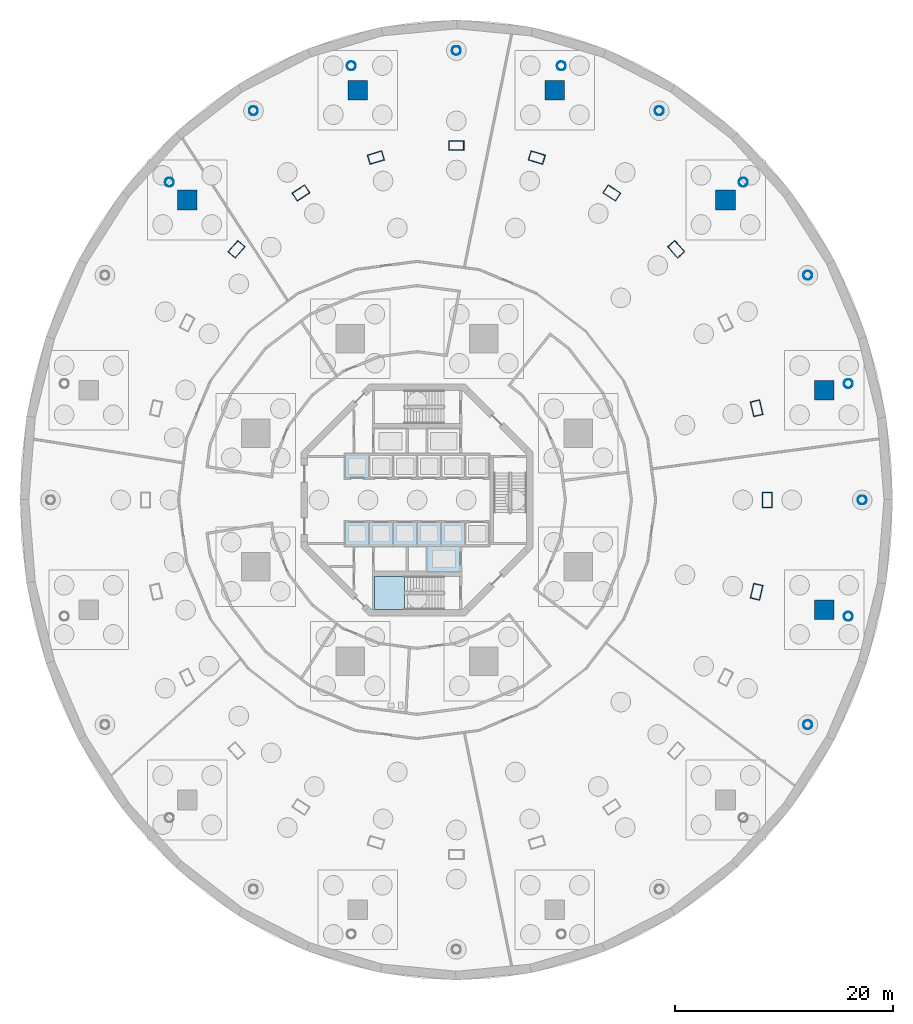
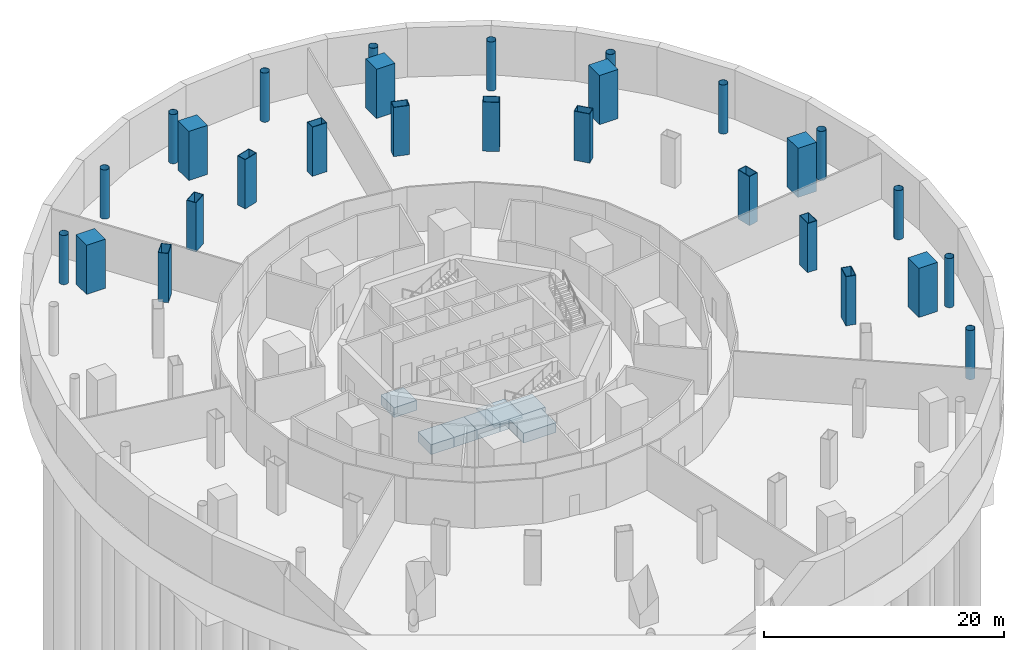
# One storey, part 3 of 14: 28 columns, 8 slabs, 1 element without a shape of its own.
"""IFC4 building model written with IfcOpenShell, lengths in metres."""

from ifc_helpers import new_model, si_unit, direction, frame, origin, origin_2d, place, context, subcontext, project, spatial, polyline, rectangle, hollow_rectangle, hollow_circle, outline, extrude, material, layer, layer_set, material_profile, profile_set, type_object, element, aggregate, save


model = new_model("IFC4")

# Units and contexts
model_context = context("Model", 3, precision=1e-05, world=origin(), true_north=direction((0.0, 1.0)))
body_context = subcontext(model_context, "Body", "Model", "MODEL_VIEW")
ifc_project = project(units=[si_unit("LENGTHUNIT", "METRE"), si_unit("AREAUNIT", "SQUARE_METRE"), si_unit("VOLUMEUNIT", "CUBIC_METRE"), si_unit("PLANEANGLEUNIT", "RADIAN"), si_unit("MASSUNIT", "GRAM", prefix="KILO")], contexts=[model_context])

# Site, building, storey
site_placement = place(None, origin())
site = spatial("IfcSite", under=ifc_project, at=site_placement, CompositionType="ELEMENT")
building_placement = place(site_placement, origin())
building = spatial("IfcBuilding", under=site, at=building_placement, Name="Nagisa Residences", CompositionType="ELEMENT")
storey_placement = place(building_placement, frame((0.0, 0.0, -10.0)))
storey = spatial("IfcBuildingStorey", under=building, at=storey_placement, Name="B2", CompositionType="ELEMENT", Elevation=-10.0)

# Columns
ifc_material_1 = material(Name="Steel ASTM A572 Gr 65", Category="steel")
ifc_material_profile_1 = material_profile(ifc_material_1, hollow_circle(Radius=0.406494140625, WallThickness=0.02490234375, at=origin_2d()), Name="CHS 813x25")
ifc_profile_set_1 = profile_set([ifc_material_profile_1], Name="Steel ASTM A572 Gr 65")
column_type_1 = type_object("IfcColumnType", Name="Atrium column CHS 813x25", PredefinedType="COLUMN", material=ifc_profile_set_1)
for number, where, z_axis, x_axis, name in (
    (1, (40.800048828125, 0.0, 0.0), (0.0, 0.0, 1.0), (1.0, 0.0, 0.0), "col:B2:a00"),
    (2, (39.532470703125, 10.663330078125, 0.0), (0.0, 0.0, 1.0), (1.0, 0.0, 0.0), "col:B2:a01"),
    (3, (35.816162109375, 20.60009765625, 0.0), (0.0, 0.0, 1.0), (1.0, 0.0, 0.0), "col:B2:a02"),
    (4, (29.904296875, 29.1328125, 0.0), (0.0, 0.0, 1.0), (1.0, 0.0, 0.0), "col:B2:a03"),
    (5, (22.199951171875, 35.68017578125, 0.0), (0.0, 0.0, 1.0), (1.0, 0.0, 0.0), "col:B2:a04"),
    (6, (13.22802734375, 39.796142578125, 0.0), (0.0, 0.0, 1.0), (1.0, 0.0, 0.0), "col:B2:a05"),
    (7, (3.60009765625, 41.199951171875, 0.0), (0.0, 0.0, 1.0), (1.0, 0.0, 0.0), "col:B2:a06"),
    (8, (-6.028076171875, 39.796142578125, 0.0), (0.0, 0.0, 1.0), (1.0, 0.0, 0.0), "col:B2:a07"),
    (9, (-15.0, 35.68017578125, 0.0), (0.0, 0.0, 1.0), (1.0, 0.0, 0.0), "col:B2:a08"),
    (10, (-22.704345703125, 29.1328125, 0.0), (0.0, 0.0, 1.0), (1.0, 0.0, 0.0), "col:B2:a09"),
    (11, (35.816162109375, -20.60009765625, 0.0), (0.0, 0.0, 1.0), (1.0, 0.0, 0.0), "col:B2:a22"),
    (12, (39.532470703125, -10.663330078125, 0.0), (0.0, 0.0, 1.0), (1.0, 0.0, 0.0), "col:B2:a23"),
):
    element("IfcColumn", number, at=place(storey_placement, frame(where, z_axis=z_axis, x_axis=x_axis)), inside=storey, type_object=column_type_1, Name=name, PredefinedType="COLUMN", context=body_context, shape_type="SweptSolid", body=[
        extrude(hollow_circle(Radius=0.406494140625, WallThickness=0.02490234375, at=origin_2d()), origin(), (0.0, 0.0, 1.0), 5.0),
    ])
ifc_material_2 = material(Name="Concrete C80", Category="concrete")
ifc_material_profile_2 = material_profile(ifc_material_2, rectangle(XDim=1.800048828125, YDim=1.800048828125, at=origin_2d()), Name="C80 1800x1800")
ifc_profile_set_2 = profile_set([ifc_material_profile_2], Name="Concrete C80")
column_type_2 = type_object("IfcColumnType", Name="Cage foot column C80 1800x1800", PredefinedType="COLUMN", material=ifc_profile_set_2)
for number, where, z_axis, x_axis, name in (
    (13, (37.310791015625, 10.068115234375, 0.0), (0.0, 0.0, 1.0), (1.0, 0.0, 0.0), "col:B2:f01"),
    (14, (28.278076171875, 27.50634765625, 0.0), (0.0, 0.0, 1.0), (1.0, 0.0, 0.0), "col:B2:f02"),
    (15, (12.6328125, 37.574462890625, 0.0), (0.0, 0.0, 1.0), (1.0, 0.0, 0.0), "col:B2:f03"),
    (16, (-5.432861328125, 37.574462890625, 0.0), (0.0, 0.0, 1.0), (1.0, 0.0, 0.0), "col:B2:f04"),
    (17, (-21.078125, 27.50634765625, 0.0), (0.0, 0.0, 1.0), (1.0, 0.0, 0.0), "col:B2:f05"),
    (18, (37.310791015625, -10.068115234375, 0.0), (0.0, 0.0, 1.0), (1.0, 0.0, 0.0), "col:B2:f12"),
):
    element("IfcColumn", number, at=place(storey_placement, frame(where, z_axis=z_axis, x_axis=x_axis)), inside=storey, type_object=column_type_2, Name=name, PredefinedType="COLUMN", context=body_context, shape_type="SweptSolid", body=[
        extrude(rectangle(XDim=1.800048828125, YDim=1.800048828125, at=origin_2d()), origin(), (0.0, 0.0, 1.0), 5.0),
    ])
ifc_material_3 = material(Name="Steel ASTM A572 Gr 50", Category="steel")
ifc_material_profile_3 = material_profile(ifc_material_3, hollow_rectangle(XDim=1.39990234375, YDim=0.89990234375, WallThickness=0.050048828125, at=origin_2d()), Name="BX 1400x900x50")
ifc_profile_set_3 = profile_set([ifc_material_profile_3], Name="Steel ASTM A572 Gr 50")
column_type_3 = type_object("IfcColumnType", Name="Perimeter column BX 1400x900x50", PredefinedType="COLUMN", material=ifc_profile_set_3)
for number, where, z_axis, x_axis, name in (
    (19, (32.10009765625, 0.0, 0.0), (0.0, 0.0, 1.0), (0.0, 1.0, 0.0), "col:B2:p00"),
    (20, (31.12890625, 8.41162109375, 0.0), (0.0, 0.0, 1.0), (-0.229202013103, 0.973378876486, 0.0), "col:B2:p01"),
    (21, (23.75244140625, 22.98095703125, 0.0), (0.0, 0.0, 1.0), (-0.660114607735, 0.751164898445, 0.0), "col:B2:p03"),
    (22, (17.85009765625, 28.145751953125, 0.0), (0.0, 0.0, 1.0), (-0.835766105673, 0.54908561865, 0.0), "col:B2:p04"),
    (23, (10.976318359375, 31.392578125, 0.0), (0.0, 0.0, 1.0), (-0.956524583408, 0.291651712384, 0.0), "col:B2:p05"),
    (24, (3.60009765625, 32.5, 0.0), (0.0, 0.0, 1.0), (-1.0, 0.0, 0.0), "col:B2:p06"),
    (25, (-3.7763671875, 31.392578125, 0.0), (0.0, 0.0, 1.0), (-0.956524583408, -0.291651712384, 0.0), "col:B2:p07"),
    (26, (-10.64990234375, 28.145751953125, 0.0), (0.0, 0.0, 1.0), (-0.835766105673, -0.54908561865, 0.0), "col:B2:p08"),
    (27, (-16.552490234375, 22.98095703125, 0.0), (0.0, 0.0, 1.0), (-0.660114607735, -0.751164898445, 0.0), "col:B2:p09"),
    (28, (31.12890625, -8.41162109375, 0.0), (0.0, 0.0, 1.0), (0.229202013103, 0.973378876486, 0.0), "col:B2:p23"),
):
    element("IfcColumn", number, at=place(storey_placement, frame(where, z_axis=z_axis, x_axis=x_axis)), inside=storey, type_object=column_type_3, Name=name, PredefinedType="COLUMN", context=body_context, shape_type="SweptSolid", body=[
        extrude(hollow_rectangle(XDim=1.39990234375, YDim=0.89990234375, WallThickness=0.050048828125, at=origin_2d()), origin(), (0.0, 0.0, 1.0), 5.0),
    ])

# Slabs
ifc_material_4 = material(Name="Concrete C60", Category="concrete")
ifc_layer_1 = layer(ifc_material_4, 1.0)
ifc_layer_set_1 = layer_set([ifc_layer_1], Name="Lift pit slab")
slab_type_1 = type_object("IfcSlabType", Name="Lift pit slab", PredefinedType="BASESLAB", material=ifc_layer_set_1)
slab_1_placement = place(storey_placement, frame((0.0, 0.0, -3.0)))
element("IfcSlab", 29, at=slab_1_placement, inside=storey, type_object=slab_type_1, Name="pit:A1:slab", PredefinedType="BASESLAB", context=body_context, shape_type="SweptSolid", body=[
    extrude(outline(polyline([(-4.39990234375, 2.0), (-6.60009765625, 2.0), (-6.60009765625, 4.199951171875), (-4.39990234375, 4.199951171875), (-4.39990234375, 2.0)])), origin(), (0.0, 0.0, 1.0), 1.0),
])
slab_2_placement = place(storey_placement, frame((0.0, 0.0, -3.0)))
element("IfcSlab", 30, at=slab_2_placement, inside=storey, type_object=slab_type_1, Name="pit:A4:slab", PredefinedType="BASESLAB", context=body_context, shape_type="SweptSolid", body=[
    extrude(outline(polyline([(-4.39990234375, -4.199951171875), (-6.60009765625, -4.199951171875), (-6.60009765625, -2.0), (-4.39990234375, -2.0), (-4.39990234375, -4.199951171875)])), origin(), (0.0, 0.0, 1.0), 1.0),
])
slab_3_placement = place(storey_placement, frame((0.0, 0.0, -3.0)))
element("IfcSlab", 31, at=slab_3_placement, inside=storey, type_object=slab_type_1, Name="pit:A5:slab", PredefinedType="BASESLAB", context=body_context, shape_type="SweptSolid", body=[
    extrude(outline(polyline([(-2.199951171875, -4.199951171875), (-4.39990234375, -4.199951171875), (-4.39990234375, -2.0), (-2.199951171875, -2.0), (-2.199951171875, -4.199951171875)])), origin(), (0.0, 0.0, 1.0), 1.0),
])
slab_4_placement = place(storey_placement, frame((0.0, 0.0, -3.0)))
element("IfcSlab", 32, at=slab_4_placement, inside=storey, type_object=slab_type_1, Name="pit:B3:slab", PredefinedType="BASESLAB", context=body_context, shape_type="SweptSolid", body=[
    extrude(outline(polyline([(0.0, -4.199951171875), (-2.199951171875, -4.199951171875), (-2.199951171875, -2.0), (0.0, -2.0), (0.0, -4.199951171875)])), origin(), (0.0, 0.0, 1.0), 1.0),
])
slab_5_placement = place(storey_placement, frame((0.0, 0.0, -3.0)))
element("IfcSlab", 33, at=slab_5_placement, inside=storey, type_object=slab_type_1, Name="pit:B4:slab", PredefinedType="BASESLAB", context=body_context, shape_type="SweptSolid", body=[
    extrude(outline(polyline([(2.199951171875, -4.199951171875), (0.0, -4.199951171875), (0.0, -2.0), (2.199951171875, -2.0), (2.199951171875, -4.199951171875)])), origin(), (0.0, 0.0, 1.0), 1.0),
])
slab_6_placement = place(storey_placement, frame((0.0, 0.0, -3.0)))
element("IfcSlab", 34, at=slab_6_placement, inside=storey, type_object=slab_type_1, Name="pit:C2:slab", PredefinedType="BASESLAB", context=body_context, shape_type="SweptSolid", body=[
    extrude(outline(polyline([(4.39990234375, -4.199951171875), (2.199951171875, -4.199951171875), (2.199951171875, -2.0), (4.39990234375, -2.0), (4.39990234375, -4.199951171875)])), origin(), (0.0, 0.0, 1.0), 1.0),
])
slab_7_placement = place(storey_placement, frame((0.0, 0.0, -3.0)))
element("IfcSlab", 35, at=slab_7_placement, inside=storey, type_object=slab_type_1, Name="pit:FL2:slab", PredefinedType="BASESLAB", context=body_context, shape_type="SweptSolid", body=[
    extrude(outline(polyline([(4.0, -6.60009765625), (0.89990234375, -6.60009765625), (0.89990234375, -4.199951171875), (4.0, -4.199951171875), (4.0, -6.60009765625)])), origin(), (0.0, 0.0, 1.0), 1.0),
])

# Stair, slab
ifc_material_5 = material(Name="Concrete C60", Category="concrete")
stair_type = type_object("IfcStairType", Name="Exit stair", PredefinedType="HALF_TURN_STAIR", material=ifc_material_5)
stair_placement = place(storey_placement, origin())
stair = element("IfcStair", 36, at=stair_placement, inside=storey, type_object=stair_type, Name="B2 Exit stair S", PredefinedType="HALF_TURN_STAIR")
ifc_material_6 = material(Name="Concrete C60", Category="concrete")
ifc_layer_2 = layer(ifc_material_6, 0.199951171875)
ifc_layer_set_2 = layer_set([ifc_layer_2], Name="Stair landing")
slab_type_2 = type_object("IfcSlabType", Name="Stair landing", PredefinedType="LANDING", material=ifc_layer_set_2)
slab_8_placement = place(storey_placement, frame((0.0, 0.0, 2.300048828125)))
slab_8 = element("IfcSlab", 37, at=slab_8_placement, type_object=slab_type_2, Name="ST-S landing 1", PredefinedType="LANDING", context=body_context, shape_type="SweptSolid", body=[
    extrude(outline(polyline([(-1.1650390625, -7.024658203125), (-3.89990234375, -7.024658203125), (-3.89990234375, -10.024658203125), (-1.1650390625, -10.024658203125), (-1.1650390625, -7.024658203125)])), origin(), (0.0, 0.0, 1.0), 0.199951171875),
])
aggregate(stair, [slab_8])

save(model, "model.ifc")
